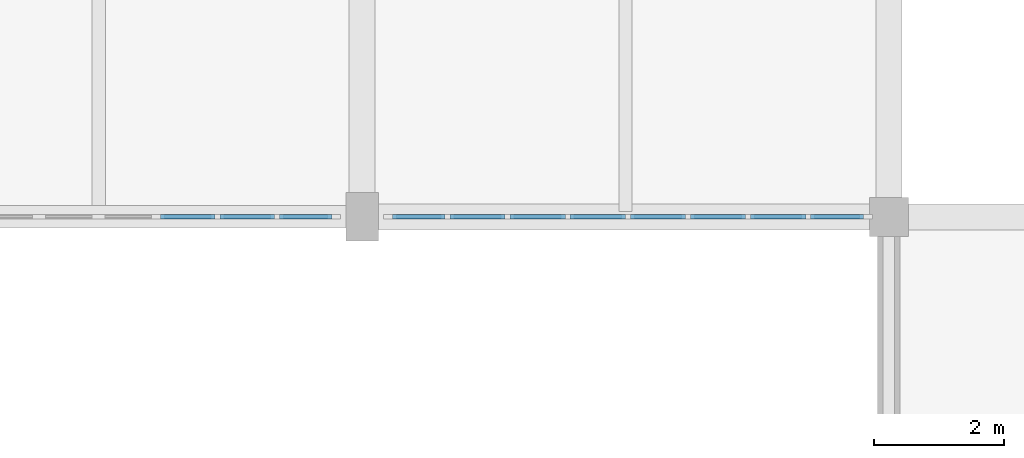
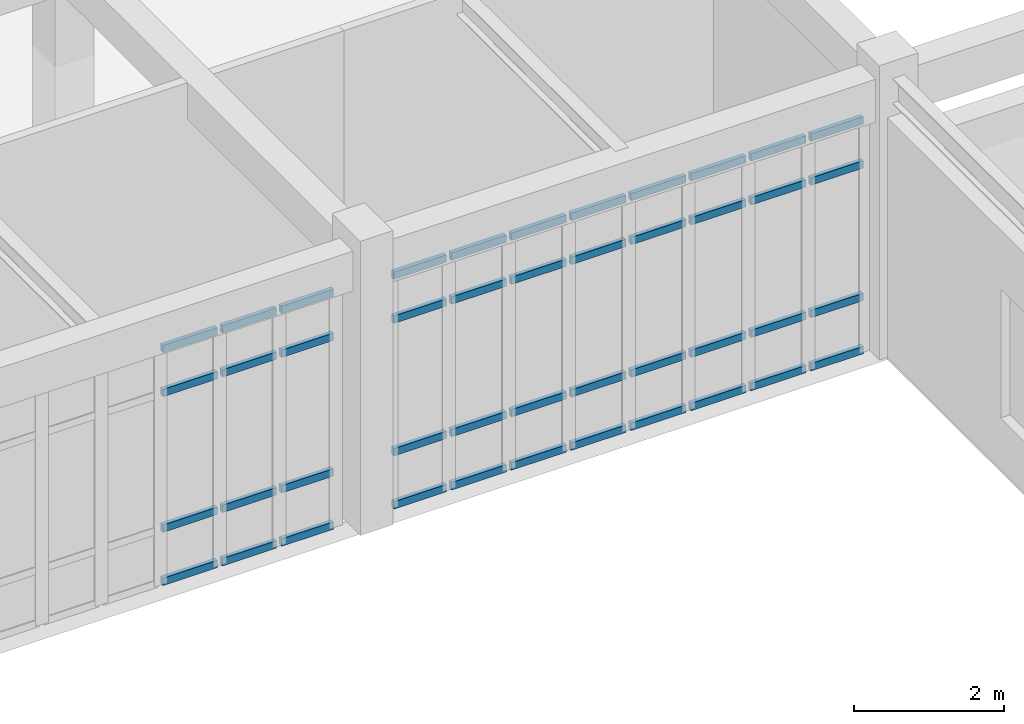
# One storey, part 27 of 61: 44 members, 2 elements without a shape of their own.
"""IFC4 building model written with IfcOpenShell, lengths in metres."""

import ifcopenshell
import ifcopenshell.guid

model = None  # the IFC model being written
_history = None  # IfcOwnerHistory: only IFC2X3 demands one
_inside = {}  # id of a spatial element -> (the spatial element, [elements in it])
_under = {}  # id of a project, library or spatial element -> (it, [spatial elements below it])
_declared = {}  # id of a project -> (the project, [libraries it declares])
_typed = {}  # id of a type object -> (the type object, [elements of that type])
_made_of = {}  # id of a material, layer set ... -> (it, [elements and type objects made of it])


def new_model(schema):
    """Start an empty IFC model of exactly this schema.

    Asked for "IFC4X3", IfcOpenShell would pick the latest addendum, in which some entities
    have other attributes; the version numbers below select the first issue.
    IFC2X3 requires an IfcOwnerHistory on every rooted entity: one is made here for all.
    """
    global model, _history
    if schema == "IFC4X3":
        model = ifcopenshell.file(schema_version=(4, 3, 0, 0))
    else:
        model = ifcopenshell.file(schema=schema)
    _inside.clear()
    _under.clear()
    _declared.clear()
    _typed.clear()
    _made_of.clear()
    _history = None
    if model.schema == "IFC2X3":
        org = make("IfcOrganization", Name="unknown")
        user = make(
            "IfcPersonAndOrganization",
            ThePerson=make("IfcPerson", FamilyName="unknown"),
            TheOrganization=org,
        )
        app = make(
            "IfcApplication",
            ApplicationDeveloper=org,
            Version="unknown",
            ApplicationFullName="unknown",
            ApplicationIdentifier="unknown",
        )
        _history = make(
            "IfcOwnerHistory",
            OwningUser=user,
            OwningApplication=app,
            ChangeAction="ADDED",
            CreationDate=0,
        )
    return model


def make(cls, **values):
    """One entity of the class cls with the attributes given. An attribute that is None is left unset."""
    return model.create_entity(
        cls, **{name: value for name, value in values.items() if value is not None}
    )


def rooted(cls, **values):
    """An entity with a GlobalId (a new one), such as an element, a storey or a relation."""
    return make(cls, GlobalId=ifcopenshell.guid.new(), OwnerHistory=_history, **values)


def si_unit(unit_type, name, prefix=None):
    """IfcSIUnit, for example si_unit("LENGTHUNIT", "METRE", prefix="MILLI")."""
    return make("IfcSIUnit", UnitType=unit_type, Prefix=prefix, Name=name)


def assignment(units):
    """IfcUnitAssignment: the units of a project."""
    return None if units is None else make("IfcUnitAssignment", Units=units)


def point(xyz):
    """IfcCartesianPoint."""
    return None if xyz is None else make("IfcCartesianPoint", Coordinates=xyz)


def direction(xyz):
    """IfcDirection."""
    return None if xyz is None else make("IfcDirection", DirectionRatios=xyz)


def frame(location, z_axis=None, x_axis=None):
    """IfcAxis2Placement3D, a coordinate frame: its origin and axes. An axis left out is left unset."""
    return make(
        "IfcAxis2Placement3D",
        Location=point(location),
        Axis=direction(z_axis),
        RefDirection=direction(x_axis),
    )


def frame_2d(location, x_axis=None):
    """IfcAxis2Placement2D, a coordinate frame in the plane: its origin and x axis."""
    return make(
        "IfcAxis2Placement2D", Location=point(location), RefDirection=direction(x_axis)
    )


def origin():
    """The frame at (0, 0, 0) with its axes left unset."""
    return frame((0.0, 0.0, 0.0))


def origin_2d():
    """The frame at (0, 0) in the plane with its x axis left unset."""
    return frame_2d((0.0, 0.0))


def place(relative_to, where):
    """IfcLocalPlacement: puts the frame where relative to a parent placement (None: the world)."""
    return make(
        "IfcLocalPlacement", PlacementRelTo=relative_to, RelativePlacement=where
    )


def context(
    kind, dimensions, precision=None, world=None, true_north=None, identifier=None
):
    """IfcGeometricRepresentationContext, for example the 3D "Model" context."""
    return make(
        "IfcGeometricRepresentationContext",
        ContextIdentifier=identifier,
        ContextType=kind,
        CoordinateSpaceDimension=dimensions,
        Precision=precision,
        WorldCoordinateSystem=world,
        TrueNorth=true_north,
    )


def subcontext(parent, identifier, kind, view, scale=None):
    """IfcGeometricRepresentationSubContext, for example "Body" below "Model"."""
    return make(
        "IfcGeometricRepresentationSubContext",
        ContextIdentifier=identifier,
        ContextType=kind,
        ParentContext=parent,
        TargetScale=scale,
        TargetView=view,
    )


def project(units=None, contexts=None):
    """IfcProject with its units and contexts."""
    return rooted(
        "IfcProject",
        Name="project",
        RepresentationContexts=contexts,
        UnitsInContext=assignment(units),
    )


def spatial(cls, under=None, at=None, **own):
    """A site, building, storey or space (cls), placed at a placement, below another one or the project."""
    s = rooted(cls, ObjectPlacement=at, **own)
    if under is not None:
        _under.setdefault(under.id(), (under, []))[1].append(s)
    return s


def profile(cls, at=None, kind="AREA", **sizes):
    """A parametric profile (cls). Its sizes go by their IFC names, for example OverallWidth=200.0."""
    return make(cls, ProfileType=kind, Position=at, **sizes)


def rectangle(**sizes):
    """IfcRectangleProfileDef."""
    return profile("IfcRectangleProfileDef", **sizes)


def extrude(swept, where, along, depth):
    """IfcExtrudedAreaSolid: the profile swept, set in the frame where, extruded along a direction by depth."""
    return make(
        "IfcExtrudedAreaSolid",
        SweptArea=swept,
        Position=where,
        ExtrudedDirection=direction(along),
        Depth=depth,
    )


def shape(context_of_items, identifier, shape_type, items):
    """IfcShapeRepresentation: the items that make up one representation, for example the "Body"."""
    return make(
        "IfcShapeRepresentation",
        ContextOfItems=context_of_items,
        RepresentationIdentifier=identifier,
        RepresentationType=shape_type,
        Items=items,
    )


def material(Name=None, Category=None):
    """IfcMaterial."""
    return make("IfcMaterial", Name=Name, Category=Category)


def material_profile(
    of_material, cross_section, Name=None, Category=None, Priority=None
):
    """IfcMaterialProfile: a cross section and its material."""
    return make(
        "IfcMaterialProfile",
        Name=Name,
        Material=of_material,
        Profile=cross_section,
        Priority=Priority,
        Category=Category,
    )


def profile_set(profiles, Name=None, composite=None):
    """IfcMaterialProfileSet."""
    return make(
        "IfcMaterialProfileSet",
        Name=Name,
        MaterialProfiles=profiles,
        CompositeProfile=composite,
    )


def made_of(thing, what):
    """Note that an element or type object is made of a material, layer set ...; save() writes the relation."""
    if what is not None:
        _made_of.setdefault(what.id(), (what, []))[1].append(thing)
    return thing


def type_object(cls, material=None, **own):
    """A type object (cls), such as IfcWallType, which elements share."""
    return made_of(rooted(cls, **own), material)


def element(
    cls,
    number,
    at=None,
    inside=None,
    cuts=None,
    type_object=None,
    material=None,
    context=None,
    identifier="Body",
    shape_type=None,
    held_by="IfcProductDefinitionShape",
    body=None,
    shapes=None,
    **own,
):
    """One element of the class cls, such as IfcWall. Its Tag is "e" and its number.

    at: its placement. inside: the storey or other place that contains it. cuts: it is an
    opening in that element (IfcRelVoidsElement). A single representation is given by context,
    identifier, shape_type and body (its items); several are given by shapes. held_by: the class
    of the entity that holds the representations. save() writes the other relations.
    """
    e = rooted(cls, Tag="e%d" % number, ObjectPlacement=at, **own)
    if body is not None:
        shapes = [shape(context, identifier, shape_type, body)]
    if shapes is not None:
        e.Representation = make(held_by, Representations=shapes)
    if inside is not None:
        _inside.setdefault(inside.id(), (inside, []))[1].append(e)
    if cuts is not None:
        rooted(
            "IfcRelVoidsElement", RelatingBuildingElement=cuts, RelatedOpeningElement=e
        )
    if type_object is not None:
        _typed.setdefault(type_object.id(), (type_object, []))[1].append(e)
    return made_of(e, material)


def aggregate(whole, parts):
    """IfcRelAggregates: a whole, such as a stair, and the parts it consists of."""
    return rooted("IfcRelAggregates", RelatingObject=whole, RelatedObjects=parts)


def save(model, path):
    """Write the relations noted so far, then the file.

    IfcRelAggregates (storeys below a building ...), IfcRelContainedInSpatialStructure (elements
    in a storey), IfcRelDefinesByType, IfcRelAssociatesMaterial and IfcRelDeclares: one each for
    every whole, place, type object, material and project.
    """
    for whole, parts in _under.values():
        aggregate(whole, parts)
    for where, things in _inside.values():
        rooted(
            "IfcRelContainedInSpatialStructure",
            RelatedElements=things,
            RelatingStructure=where,
        )
    for kind, things in _typed.values():
        rooted("IfcRelDefinesByType", RelatedObjects=things, RelatingType=kind)
    for what, things in _made_of.values():
        rooted("IfcRelAssociatesMaterial", RelatedObjects=things, RelatingMaterial=what)
    for by, libraries in _declared.values():
        rooted("IfcRelDeclares", RelatingContext=by, RelatedDefinitions=libraries)
    model.write(path)


model = new_model("IFC4")

# Units and contexts
model_context = context("Model", 3, precision=1e-05, world=origin(), true_north=direction((0.0, 1.0)))
body_context = subcontext(model_context, "Body", "Model", "MODEL_VIEW")
ifc_project = project(units=[si_unit("LENGTHUNIT", "METRE"), si_unit("AREAUNIT", "SQUARE_METRE"), si_unit("VOLUMEUNIT", "CUBIC_METRE"), si_unit("PLANEANGLEUNIT", "RADIAN"), si_unit("MASSUNIT", "GRAM", prefix="KILO")], contexts=[model_context])

# Site, building, storey
site_placement = place(None, origin())
site = spatial("IfcSite", under=ifc_project, at=site_placement, CompositionType="ELEMENT")
building_placement = place(site_placement, origin())
building = spatial("IfcBuilding", under=site, at=building_placement, Name="Tarnveldt Square Police Headquarters", CompositionType="ELEMENT")
storey_placement = place(building_placement, frame((0.0, 0.0, 5.39990234375)))
storey = spatial("IfcBuildingStorey", under=building, at=storey_placement, Name="L01", CompositionType="ELEMENT", Elevation=5.39990234375)

# Curtain wall, members
ifc_material_1 = material(Name="Triple-glazed low-e laminated vision glass", Category="glass")
curtain_wall_type_1 = type_object("IfcCurtainWallType", Name="CW-LB-732x386", PredefinedType="USERDEFINED", material=ifc_material_1)
curtain_wall_1_placement = place(storey_placement, origin())
curtain_wall_1 = element("IfcCurtainWall", 1, at=curtain_wall_1_placement, inside=storey, type_object=curtain_wall_type_1, Name="L01 Curtain Wall CW-L01-110", ObjectType="GLAZED CURTAIN WALL", PredefinedType="USERDEFINED")
ifc_material_2 = material(Name="Thermally broken anodised aluminium 6063-T6", Category="aluminium")
ifc_material_profile = material_profile(ifc_material_2, rectangle(XDim=0.06494140625, YDim=0.1201171875, at=origin_2d()), Name="CW-T65x120")
ifc_profile_set = profile_set([ifc_material_profile], Name="Thermally broken anodised aluminium 6063-T6")
member_type = type_object("IfcMemberType", Name="CWT-65x120", PredefinedType="USERDEFINED", material=ifc_profile_set)
member_1_placement = place(storey_placement, frame((94.1025390625, 96.0, 0.03271484375), z_axis=(1.0, 0.0, 0.0), x_axis=(0.0, 1.0, 0.0)))
member_1 = element("IfcMember", 2, at=member_1_placement, type_object=member_type, Name="CW-LB64 transom 6.1", ObjectType="TRANSOM", PredefinedType="USERDEFINED", context=body_context, shape_type="SweptSolid", body=[
    extrude(rectangle(XDim=0.06494140625, YDim=0.1201171875, at=origin_2d()), origin(), (0.0, 0.0, 1.0), 0.83984375),
])
member_2_placement = place(storey_placement, frame((94.1025390625, 96.0, 0.900146484375), z_axis=(1.0, 0.0, 0.0), x_axis=(0.0, 1.0, 0.0)))
member_2 = element("IfcMember", 3, at=member_2_placement, type_object=member_type, Name="CW-LB64 transom 6.2", ObjectType="TRANSOM", PredefinedType="USERDEFINED", context=body_context, shape_type="SweptSolid", body=[
    extrude(rectangle(XDim=0.06494140625, YDim=0.1201171875, at=origin_2d()), origin(), (0.0, 0.0, 1.0), 0.83984375),
])
member_3_placement = place(storey_placement, frame((94.1025390625, 96.0, 3.112060546875), z_axis=(1.0, 0.0, 0.0), x_axis=(0.0, 1.0, 0.0)))
member_3 = element("IfcMember", 4, at=member_3_placement, type_object=member_type, Name="CW-LB64 transom 6.3", ObjectType="TRANSOM", PredefinedType="USERDEFINED", context=body_context, shape_type="SweptSolid", body=[
    extrude(rectangle(XDim=0.06494140625, YDim=0.1201171875, at=origin_2d()), origin(), (0.0, 0.0, 1.0), 0.83984375),
])
member_4_placement = place(storey_placement, frame((94.1025390625, 96.0, 3.82958984375), z_axis=(1.0, 0.0, 0.0), x_axis=(0.0, 1.0, 0.0)))
member_4 = element("IfcMember", 5, at=member_4_placement, type_object=member_type, Name="CW-LB64 transom 6.4", ObjectType="TRANSOM", PredefinedType="USERDEFINED", context=body_context, shape_type="SweptSolid", body=[
    extrude(rectangle(XDim=0.06494140625, YDim=0.1201171875, at=origin_2d()), origin(), (0.0, 0.0, 1.0), 0.83984375),
])
member_5_placement = place(storey_placement, frame((95.017578125, 96.0, 0.03271484375), z_axis=(1.0, 0.0, 0.0), x_axis=(0.0, 1.0, 0.0)))
member_5 = element("IfcMember", 6, at=member_5_placement, type_object=member_type, Name="CW-LB64 transom 7.1", ObjectType="TRANSOM", PredefinedType="USERDEFINED", context=body_context, shape_type="SweptSolid", body=[
    extrude(rectangle(XDim=0.06494140625, YDim=0.1201171875, at=origin_2d()), origin(), (0.0, 0.0, 1.0), 0.83984375),
])
member_6_placement = place(storey_placement, frame((95.017578125, 96.0, 0.900146484375), z_axis=(1.0, 0.0, 0.0), x_axis=(0.0, 1.0, 0.0)))
member_6 = element("IfcMember", 7, at=member_6_placement, type_object=member_type, Name="CW-LB64 transom 7.2", ObjectType="TRANSOM", PredefinedType="USERDEFINED", context=body_context, shape_type="SweptSolid", body=[
    extrude(rectangle(XDim=0.06494140625, YDim=0.1201171875, at=origin_2d()), origin(), (0.0, 0.0, 1.0), 0.83984375),
])
member_7_placement = place(storey_placement, frame((95.017578125, 96.0, 3.112060546875), z_axis=(1.0, 0.0, 0.0), x_axis=(0.0, 1.0, 0.0)))
member_7 = element("IfcMember", 8, at=member_7_placement, type_object=member_type, Name="CW-LB64 transom 7.3", ObjectType="TRANSOM", PredefinedType="USERDEFINED", context=body_context, shape_type="SweptSolid", body=[
    extrude(rectangle(XDim=0.06494140625, YDim=0.1201171875, at=origin_2d()), origin(), (0.0, 0.0, 1.0), 0.83984375),
])
member_8_placement = place(storey_placement, frame((95.017578125, 96.0, 3.82958984375), z_axis=(1.0, 0.0, 0.0), x_axis=(0.0, 1.0, 0.0)))
member_8 = element("IfcMember", 9, at=member_8_placement, type_object=member_type, Name="CW-LB64 transom 7.4", ObjectType="TRANSOM", PredefinedType="USERDEFINED", context=body_context, shape_type="SweptSolid", body=[
    extrude(rectangle(XDim=0.06494140625, YDim=0.1201171875, at=origin_2d()), origin(), (0.0, 0.0, 1.0), 0.83984375),
])
member_9_placement = place(storey_placement, frame((95.9326171875, 96.0, 0.03271484375), z_axis=(1.0, 0.0, 0.0), x_axis=(0.0, 1.0, 0.0)))
member_9 = element("IfcMember", 10, at=member_9_placement, type_object=member_type, Name="CW-LB64 transom 8.1", ObjectType="TRANSOM", PredefinedType="USERDEFINED", context=body_context, shape_type="SweptSolid", body=[
    extrude(rectangle(XDim=0.06494140625, YDim=0.1201171875, at=origin_2d()), origin(), (0.0, 0.0, 1.0), 0.802490234375),
])
member_10_placement = place(storey_placement, frame((95.9326171875, 96.0, 0.900146484375), z_axis=(1.0, 0.0, 0.0), x_axis=(0.0, 1.0, 0.0)))
member_10 = element("IfcMember", 11, at=member_10_placement, type_object=member_type, Name="CW-LB64 transom 8.2", ObjectType="TRANSOM", PredefinedType="USERDEFINED", context=body_context, shape_type="SweptSolid", body=[
    extrude(rectangle(XDim=0.06494140625, YDim=0.1201171875, at=origin_2d()), origin(), (0.0, 0.0, 1.0), 0.802490234375),
])
member_11_placement = place(storey_placement, frame((95.9326171875, 96.0, 3.112060546875), z_axis=(1.0, 0.0, 0.0), x_axis=(0.0, 1.0, 0.0)))
member_11 = element("IfcMember", 12, at=member_11_placement, type_object=member_type, Name="CW-LB64 transom 8.3", ObjectType="TRANSOM", PredefinedType="USERDEFINED", context=body_context, shape_type="SweptSolid", body=[
    extrude(rectangle(XDim=0.06494140625, YDim=0.1201171875, at=origin_2d()), origin(), (0.0, 0.0, 1.0), 0.802490234375),
])
member_12_placement = place(storey_placement, frame((95.9326171875, 96.0, 3.82958984375), z_axis=(1.0, 0.0, 0.0), x_axis=(0.0, 1.0, 0.0)))
member_12 = element("IfcMember", 13, at=member_12_placement, type_object=member_type, Name="CW-LB64 transom 8.4", ObjectType="TRANSOM", PredefinedType="USERDEFINED", context=body_context, shape_type="SweptSolid", body=[
    extrude(rectangle(XDim=0.06494140625, YDim=0.1201171875, at=origin_2d()), origin(), (0.0, 0.0, 1.0), 0.802490234375),
])
aggregate(curtain_wall_1, [member_1, member_2, member_3, member_4, member_5, member_6, member_7, member_8, member_9, member_10, member_11, member_12])

curtain_wall_type_2 = type_object("IfcCurtainWallType", Name="CW-LB-739x381", PredefinedType="USERDEFINED", material=ifc_material_1)
curtain_wall_2_placement = place(storey_placement, origin())
curtain_wall_2 = element("IfcCurtainWall", 14, at=curtain_wall_2_placement, inside=storey, type_object=curtain_wall_type_2, Name="L01 Curtain Wall CW-L01-111", ObjectType="GLAZED CURTAIN WALL", PredefinedType="USERDEFINED")
member_13_placement = place(storey_placement, frame((97.6650390625, 96.0, 0.03271484375), z_axis=(1.0, 0.0, 0.0), x_axis=(0.0, 1.0, 0.0)))
member_13 = element("IfcMember", 15, at=member_13_placement, type_object=member_type, Name="CW-LB63 transom 1.1", ObjectType="TRANSOM", PredefinedType="USERDEFINED", context=body_context, shape_type="SweptSolid", body=[
    extrude(rectangle(XDim=0.06494140625, YDim=0.1201171875, at=origin_2d()), origin(), (0.0, 0.0, 1.0), 0.811767578125),
])
member_14_placement = place(storey_placement, frame((97.6650390625, 96.0, 0.900146484375), z_axis=(1.0, 0.0, 0.0), x_axis=(0.0, 1.0, 0.0)))
member_14 = element("IfcMember", 16, at=member_14_placement, type_object=member_type, Name="CW-LB63 transom 1.2", ObjectType="TRANSOM", PredefinedType="USERDEFINED", context=body_context, shape_type="SweptSolid", body=[
    extrude(rectangle(XDim=0.06494140625, YDim=0.1201171875, at=origin_2d()), origin(), (0.0, 0.0, 1.0), 0.811767578125),
])
member_15_placement = place(storey_placement, frame((97.6650390625, 96.0, 3.06201171875), z_axis=(1.0, 0.0, 0.0), x_axis=(0.0, 1.0, 0.0)))
member_15 = element("IfcMember", 17, at=member_15_placement, type_object=member_type, Name="CW-LB63 transom 1.3", ObjectType="TRANSOM", PredefinedType="USERDEFINED", context=body_context, shape_type="SweptSolid", body=[
    extrude(rectangle(XDim=0.06494140625, YDim=0.1201171875, at=origin_2d()), origin(), (0.0, 0.0, 1.0), 0.811767578125),
])
member_16_placement = place(storey_placement, frame((97.6650390625, 96.0, 3.779541015625), z_axis=(1.0, 0.0, 0.0), x_axis=(0.0, 1.0, 0.0)))
member_16 = element("IfcMember", 18, at=member_16_placement, type_object=member_type, Name="CW-LB63 transom 1.4", ObjectType="TRANSOM", PredefinedType="USERDEFINED", context=body_context, shape_type="SweptSolid", body=[
    extrude(rectangle(XDim=0.06494140625, YDim=0.1201171875, at=origin_2d()), origin(), (0.0, 0.0, 1.0), 0.811767578125),
])
member_17_placement = place(storey_placement, frame((98.5517578125, 96.0, 0.03271484375), z_axis=(1.0, 0.0, 0.0), x_axis=(0.0, 1.0, 0.0)))
member_17 = element("IfcMember", 19, at=member_17_placement, type_object=member_type, Name="CW-LB63 transom 2.1", ObjectType="TRANSOM", PredefinedType="USERDEFINED", context=body_context, shape_type="SweptSolid", body=[
    extrude(rectangle(XDim=0.06494140625, YDim=0.1201171875, at=origin_2d()), origin(), (0.0, 0.0, 1.0), 0.849609375),
])
member_18_placement = place(storey_placement, frame((98.5517578125, 96.0, 0.900146484375), z_axis=(1.0, 0.0, 0.0), x_axis=(0.0, 1.0, 0.0)))
member_18 = element("IfcMember", 20, at=member_18_placement, type_object=member_type, Name="CW-LB63 transom 2.2", ObjectType="TRANSOM", PredefinedType="USERDEFINED", context=body_context, shape_type="SweptSolid", body=[
    extrude(rectangle(XDim=0.06494140625, YDim=0.1201171875, at=origin_2d()), origin(), (0.0, 0.0, 1.0), 0.849609375),
])
member_19_placement = place(storey_placement, frame((98.5517578125, 96.0, 3.06201171875), z_axis=(1.0, 0.0, 0.0), x_axis=(0.0, 1.0, 0.0)))
member_19 = element("IfcMember", 21, at=member_19_placement, type_object=member_type, Name="CW-LB63 transom 2.3", ObjectType="TRANSOM", PredefinedType="USERDEFINED", context=body_context, shape_type="SweptSolid", body=[
    extrude(rectangle(XDim=0.06494140625, YDim=0.1201171875, at=origin_2d()), origin(), (0.0, 0.0, 1.0), 0.849609375),
])
member_20_placement = place(storey_placement, frame((98.5517578125, 96.0, 3.779541015625), z_axis=(1.0, 0.0, 0.0), x_axis=(0.0, 1.0, 0.0)))
member_20 = element("IfcMember", 22, at=member_20_placement, type_object=member_type, Name="CW-LB63 transom 2.4", ObjectType="TRANSOM", PredefinedType="USERDEFINED", context=body_context, shape_type="SweptSolid", body=[
    extrude(rectangle(XDim=0.06494140625, YDim=0.1201171875, at=origin_2d()), origin(), (0.0, 0.0, 1.0), 0.849609375),
])
member_21_placement = place(storey_placement, frame((99.476318359375, 96.0, 0.03271484375), z_axis=(1.0, 0.0, 0.0), x_axis=(0.0, 1.0, 0.0)))
member_21 = element("IfcMember", 23, at=member_21_placement, type_object=member_type, Name="CW-LB63 transom 3.1", ObjectType="TRANSOM", PredefinedType="USERDEFINED", context=body_context, shape_type="SweptSolid", body=[
    extrude(rectangle(XDim=0.06494140625, YDim=0.1201171875, at=origin_2d()), origin(), (0.0, 0.0, 1.0), 0.849365234375),
])
member_22_placement = place(storey_placement, frame((99.476318359375, 96.0, 0.900146484375), z_axis=(1.0, 0.0, 0.0), x_axis=(0.0, 1.0, 0.0)))
member_22 = element("IfcMember", 24, at=member_22_placement, type_object=member_type, Name="CW-LB63 transom 3.2", ObjectType="TRANSOM", PredefinedType="USERDEFINED", context=body_context, shape_type="SweptSolid", body=[
    extrude(rectangle(XDim=0.06494140625, YDim=0.1201171875, at=origin_2d()), origin(), (0.0, 0.0, 1.0), 0.849365234375),
])
member_23_placement = place(storey_placement, frame((99.476318359375, 96.0, 3.06201171875), z_axis=(1.0, 0.0, 0.0), x_axis=(0.0, 1.0, 0.0)))
member_23 = element("IfcMember", 25, at=member_23_placement, type_object=member_type, Name="CW-LB63 transom 3.3", ObjectType="TRANSOM", PredefinedType="USERDEFINED", context=body_context, shape_type="SweptSolid", body=[
    extrude(rectangle(XDim=0.06494140625, YDim=0.1201171875, at=origin_2d()), origin(), (0.0, 0.0, 1.0), 0.849365234375),
])
member_24_placement = place(storey_placement, frame((99.476318359375, 96.0, 3.779541015625), z_axis=(1.0, 0.0, 0.0), x_axis=(0.0, 1.0, 0.0)))
member_24 = element("IfcMember", 26, at=member_24_placement, type_object=member_type, Name="CW-LB63 transom 3.4", ObjectType="TRANSOM", PredefinedType="USERDEFINED", context=body_context, shape_type="SweptSolid", body=[
    extrude(rectangle(XDim=0.06494140625, YDim=0.1201171875, at=origin_2d()), origin(), (0.0, 0.0, 1.0), 0.849365234375),
])
member_25_placement = place(storey_placement, frame((100.400634765625, 96.0, 0.03271484375), z_axis=(1.0, 0.0, 0.0), x_axis=(0.0, 1.0, 0.0)))
member_25 = element("IfcMember", 27, at=member_25_placement, type_object=member_type, Name="CW-LB63 transom 4.1", ObjectType="TRANSOM", PredefinedType="USERDEFINED", context=body_context, shape_type="SweptSolid", body=[
    extrude(rectangle(XDim=0.06494140625, YDim=0.1201171875, at=origin_2d()), origin(), (0.0, 0.0, 1.0), 0.849365234375),
])
member_26_placement = place(storey_placement, frame((100.400634765625, 96.0, 0.900146484375), z_axis=(1.0, 0.0, 0.0), x_axis=(0.0, 1.0, 0.0)))
member_26 = element("IfcMember", 28, at=member_26_placement, type_object=member_type, Name="CW-LB63 transom 4.2", ObjectType="TRANSOM", PredefinedType="USERDEFINED", context=body_context, shape_type="SweptSolid", body=[
    extrude(rectangle(XDim=0.06494140625, YDim=0.1201171875, at=origin_2d()), origin(), (0.0, 0.0, 1.0), 0.849365234375),
])
member_27_placement = place(storey_placement, frame((100.400634765625, 96.0, 3.06201171875), z_axis=(1.0, 0.0, 0.0), x_axis=(0.0, 1.0, 0.0)))
member_27 = element("IfcMember", 29, at=member_27_placement, type_object=member_type, Name="CW-LB63 transom 4.3", ObjectType="TRANSOM", PredefinedType="USERDEFINED", context=body_context, shape_type="SweptSolid", body=[
    extrude(rectangle(XDim=0.06494140625, YDim=0.1201171875, at=origin_2d()), origin(), (0.0, 0.0, 1.0), 0.849365234375),
])
member_28_placement = place(storey_placement, frame((100.400634765625, 96.0, 3.779541015625), z_axis=(1.0, 0.0, 0.0), x_axis=(0.0, 1.0, 0.0)))
member_28 = element("IfcMember", 30, at=member_28_placement, type_object=member_type, Name="CW-LB63 transom 4.4", ObjectType="TRANSOM", PredefinedType="USERDEFINED", context=body_context, shape_type="SweptSolid", body=[
    extrude(rectangle(XDim=0.06494140625, YDim=0.1201171875, at=origin_2d()), origin(), (0.0, 0.0, 1.0), 0.849365234375),
])
member_29_placement = place(storey_placement, frame((101.324951171875, 96.0, 0.03271484375), z_axis=(1.0, 0.0, 0.0), x_axis=(0.0, 1.0, 0.0)))
member_29 = element("IfcMember", 31, at=member_29_placement, type_object=member_type, Name="CW-LB63 transom 5.1", ObjectType="TRANSOM", PredefinedType="USERDEFINED", context=body_context, shape_type="SweptSolid", body=[
    extrude(rectangle(XDim=0.06494140625, YDim=0.1201171875, at=origin_2d()), origin(), (0.0, 0.0, 1.0), 0.849365234375),
])
member_30_placement = place(storey_placement, frame((101.324951171875, 96.0, 0.900146484375), z_axis=(1.0, 0.0, 0.0), x_axis=(0.0, 1.0, 0.0)))
member_30 = element("IfcMember", 32, at=member_30_placement, type_object=member_type, Name="CW-LB63 transom 5.2", ObjectType="TRANSOM", PredefinedType="USERDEFINED", context=body_context, shape_type="SweptSolid", body=[
    extrude(rectangle(XDim=0.06494140625, YDim=0.1201171875, at=origin_2d()), origin(), (0.0, 0.0, 1.0), 0.849365234375),
])
member_31_placement = place(storey_placement, frame((101.324951171875, 96.0, 3.06201171875), z_axis=(1.0, 0.0, 0.0), x_axis=(0.0, 1.0, 0.0)))
member_31 = element("IfcMember", 33, at=member_31_placement, type_object=member_type, Name="CW-LB63 transom 5.3", ObjectType="TRANSOM", PredefinedType="USERDEFINED", context=body_context, shape_type="SweptSolid", body=[
    extrude(rectangle(XDim=0.06494140625, YDim=0.1201171875, at=origin_2d()), origin(), (0.0, 0.0, 1.0), 0.849365234375),
])
member_32_placement = place(storey_placement, frame((101.324951171875, 96.0, 3.779541015625), z_axis=(1.0, 0.0, 0.0), x_axis=(0.0, 1.0, 0.0)))
member_32 = element("IfcMember", 34, at=member_32_placement, type_object=member_type, Name="CW-LB63 transom 5.4", ObjectType="TRANSOM", PredefinedType="USERDEFINED", context=body_context, shape_type="SweptSolid", body=[
    extrude(rectangle(XDim=0.06494140625, YDim=0.1201171875, at=origin_2d()), origin(), (0.0, 0.0, 1.0), 0.849365234375),
])
member_33_placement = place(storey_placement, frame((102.249267578125, 96.0, 0.03271484375), z_axis=(1.0, 0.0, 0.0), x_axis=(0.0, 1.0, 0.0)))
member_33 = element("IfcMember", 35, at=member_33_placement, type_object=member_type, Name="CW-LB63 transom 6.1", ObjectType="TRANSOM", PredefinedType="USERDEFINED", context=body_context, shape_type="SweptSolid", body=[
    extrude(rectangle(XDim=0.06494140625, YDim=0.1201171875, at=origin_2d()), origin(), (0.0, 0.0, 1.0), 0.849365234375),
])
member_34_placement = place(storey_placement, frame((102.249267578125, 96.0, 0.900146484375), z_axis=(1.0, 0.0, 0.0), x_axis=(0.0, 1.0, 0.0)))
member_34 = element("IfcMember", 36, at=member_34_placement, type_object=member_type, Name="CW-LB63 transom 6.2", ObjectType="TRANSOM", PredefinedType="USERDEFINED", context=body_context, shape_type="SweptSolid", body=[
    extrude(rectangle(XDim=0.06494140625, YDim=0.1201171875, at=origin_2d()), origin(), (0.0, 0.0, 1.0), 0.849365234375),
])
member_35_placement = place(storey_placement, frame((102.249267578125, 96.0, 3.06201171875), z_axis=(1.0, 0.0, 0.0), x_axis=(0.0, 1.0, 0.0)))
member_35 = element("IfcMember", 37, at=member_35_placement, type_object=member_type, Name="CW-LB63 transom 6.3", ObjectType="TRANSOM", PredefinedType="USERDEFINED", context=body_context, shape_type="SweptSolid", body=[
    extrude(rectangle(XDim=0.06494140625, YDim=0.1201171875, at=origin_2d()), origin(), (0.0, 0.0, 1.0), 0.849365234375),
])
member_36_placement = place(storey_placement, frame((102.249267578125, 96.0, 3.779541015625), z_axis=(1.0, 0.0, 0.0), x_axis=(0.0, 1.0, 0.0)))
member_36 = element("IfcMember", 38, at=member_36_placement, type_object=member_type, Name="CW-LB63 transom 6.4", ObjectType="TRANSOM", PredefinedType="USERDEFINED", context=body_context, shape_type="SweptSolid", body=[
    extrude(rectangle(XDim=0.06494140625, YDim=0.1201171875, at=origin_2d()), origin(), (0.0, 0.0, 1.0), 0.849365234375),
])
member_37_placement = place(storey_placement, frame((103.173828125, 96.0, 0.03271484375), z_axis=(1.0, 0.0, 0.0), x_axis=(0.0, 1.0, 0.0)))
member_37 = element("IfcMember", 39, at=member_37_placement, type_object=member_type, Name="CW-LB63 transom 7.1", ObjectType="TRANSOM", PredefinedType="USERDEFINED", context=body_context, shape_type="SweptSolid", body=[
    extrude(rectangle(XDim=0.06494140625, YDim=0.1201171875, at=origin_2d()), origin(), (0.0, 0.0, 1.0), 0.849365234375),
])
member_38_placement = place(storey_placement, frame((103.173828125, 96.0, 0.900146484375), z_axis=(1.0, 0.0, 0.0), x_axis=(0.0, 1.0, 0.0)))
member_38 = element("IfcMember", 40, at=member_38_placement, type_object=member_type, Name="CW-LB63 transom 7.2", ObjectType="TRANSOM", PredefinedType="USERDEFINED", context=body_context, shape_type="SweptSolid", body=[
    extrude(rectangle(XDim=0.06494140625, YDim=0.1201171875, at=origin_2d()), origin(), (0.0, 0.0, 1.0), 0.849365234375),
])
member_39_placement = place(storey_placement, frame((103.173828125, 96.0, 3.06201171875), z_axis=(1.0, 0.0, 0.0), x_axis=(0.0, 1.0, 0.0)))
member_39 = element("IfcMember", 41, at=member_39_placement, type_object=member_type, Name="CW-LB63 transom 7.3", ObjectType="TRANSOM", PredefinedType="USERDEFINED", context=body_context, shape_type="SweptSolid", body=[
    extrude(rectangle(XDim=0.06494140625, YDim=0.1201171875, at=origin_2d()), origin(), (0.0, 0.0, 1.0), 0.849365234375),
])
member_40_placement = place(storey_placement, frame((103.173828125, 96.0, 3.779541015625), z_axis=(1.0, 0.0, 0.0), x_axis=(0.0, 1.0, 0.0)))
member_40 = element("IfcMember", 42, at=member_40_placement, type_object=member_type, Name="CW-LB63 transom 7.4", ObjectType="TRANSOM", PredefinedType="USERDEFINED", context=body_context, shape_type="SweptSolid", body=[
    extrude(rectangle(XDim=0.06494140625, YDim=0.1201171875, at=origin_2d()), origin(), (0.0, 0.0, 1.0), 0.849365234375),
])
member_41_placement = place(storey_placement, frame((104.09814453125, 96.0, 0.03271484375), z_axis=(1.0, 0.0, 0.0), x_axis=(0.0, 1.0, 0.0)))
member_41 = element("IfcMember", 43, at=member_41_placement, type_object=member_type, Name="CW-LB63 transom 8.1", ObjectType="TRANSOM", PredefinedType="USERDEFINED", context=body_context, shape_type="SweptSolid", body=[
    extrude(rectangle(XDim=0.06494140625, YDim=0.1201171875, at=origin_2d()), origin(), (0.0, 0.0, 1.0), 0.811767578125),
])
member_42_placement = place(storey_placement, frame((104.09814453125, 96.0, 0.900146484375), z_axis=(1.0, 0.0, 0.0), x_axis=(0.0, 1.0, 0.0)))
member_42 = element("IfcMember", 44, at=member_42_placement, type_object=member_type, Name="CW-LB63 transom 8.2", ObjectType="TRANSOM", PredefinedType="USERDEFINED", context=body_context, shape_type="SweptSolid", body=[
    extrude(rectangle(XDim=0.06494140625, YDim=0.1201171875, at=origin_2d()), origin(), (0.0, 0.0, 1.0), 0.811767578125),
])
member_43_placement = place(storey_placement, frame((104.09814453125, 96.0, 3.06201171875), z_axis=(1.0, 0.0, 0.0), x_axis=(0.0, 1.0, 0.0)))
member_43 = element("IfcMember", 45, at=member_43_placement, type_object=member_type, Name="CW-LB63 transom 8.3", ObjectType="TRANSOM", PredefinedType="USERDEFINED", context=body_context, shape_type="SweptSolid", body=[
    extrude(rectangle(XDim=0.06494140625, YDim=0.1201171875, at=origin_2d()), origin(), (0.0, 0.0, 1.0), 0.811767578125),
])
member_44_placement = place(storey_placement, frame((104.09814453125, 96.0, 3.779541015625), z_axis=(1.0, 0.0, 0.0), x_axis=(0.0, 1.0, 0.0)))
member_44 = element("IfcMember", 46, at=member_44_placement, type_object=member_type, Name="CW-LB63 transom 8.4", ObjectType="TRANSOM", PredefinedType="USERDEFINED", context=body_context, shape_type="SweptSolid", body=[
    extrude(rectangle(XDim=0.06494140625, YDim=0.1201171875, at=origin_2d()), origin(), (0.0, 0.0, 1.0), 0.811767578125),
])
aggregate(curtain_wall_2, [member_13, member_14, member_15, member_16, member_17, member_18, member_19, member_20, member_21, member_22, member_23, member_24, member_25, member_26, member_27, member_28, member_29, member_30, member_31, member_32, member_33, member_34, member_35, member_36, member_37, member_38, member_39, member_40, member_41, member_42, member_43, member_44])

save(model, "model.ifc")
